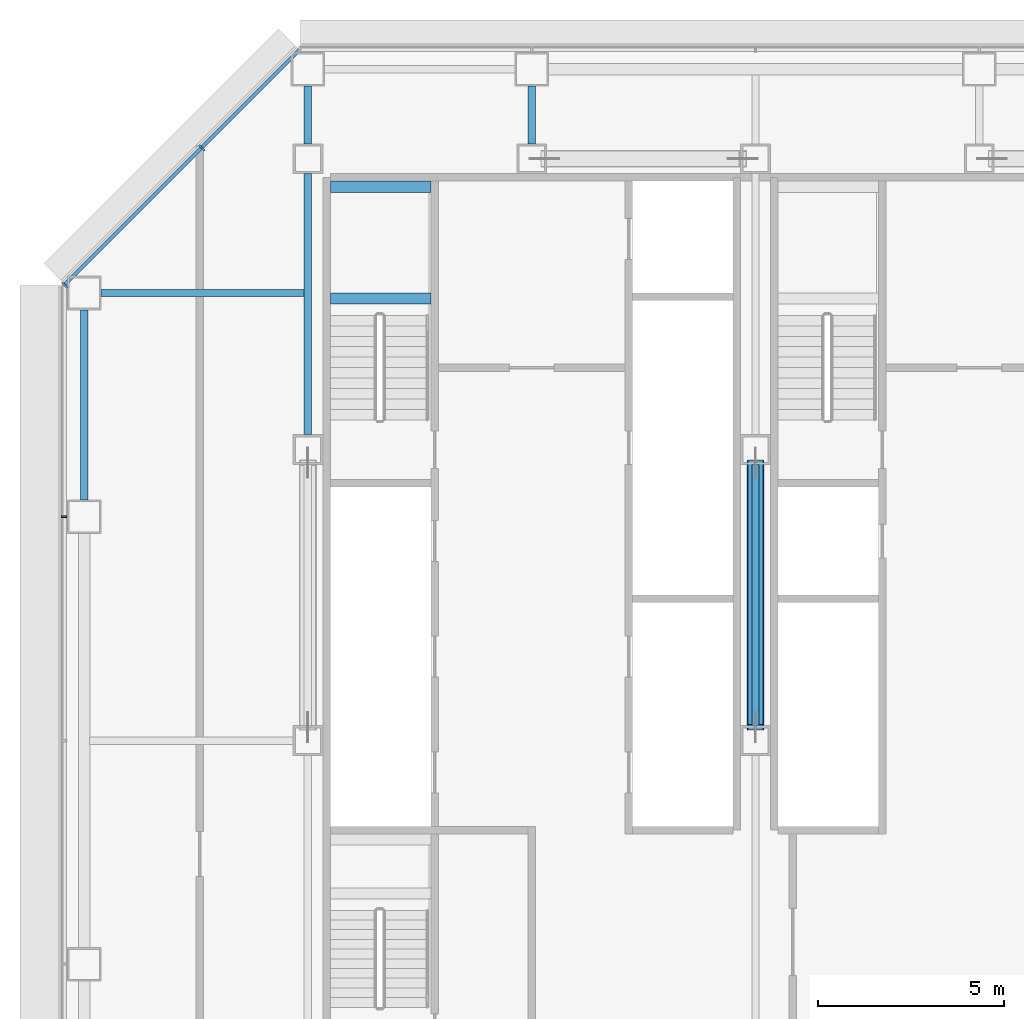
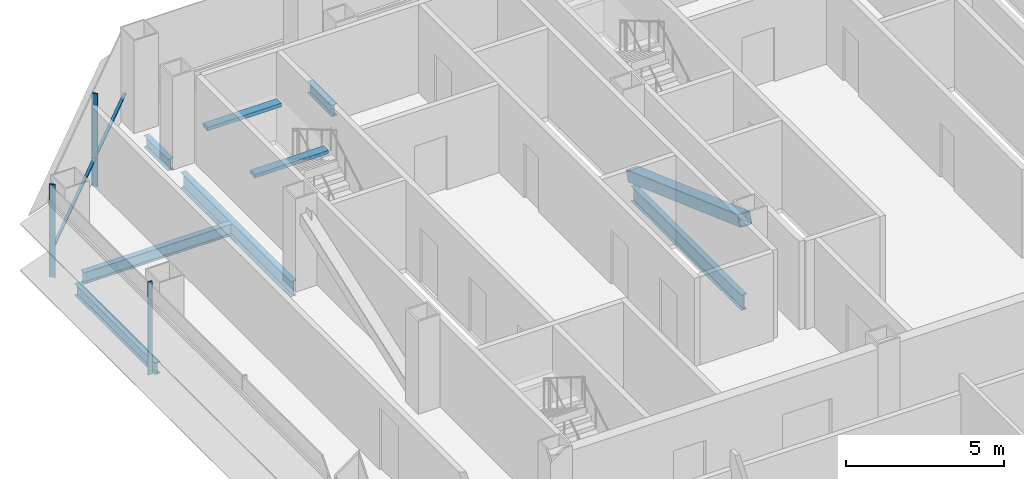
# One storey, part 11 of 26: 8 beams, 5 members, 2 elements without a shape of their own.
"""IFC4 building model written with IfcOpenShell, lengths in metres."""

from ifc_helpers import new_model, si_unit, direction, frame, origin, origin_2d, place, context, subcontext, project, spatial, rectangle, hollow_rectangle, i_section, extrude, material, material_profile, profile_set, type_object, element, aggregate, save


model = new_model("IFC4")

# Units and contexts
model_context = context("Model", 3, precision=1e-05, world=origin(), true_north=direction((0.0, 1.0)))
body_context = subcontext(model_context, "Body", "Model", "MODEL_VIEW")
ifc_project = project(units=[si_unit("LENGTHUNIT", "METRE"), si_unit("AREAUNIT", "SQUARE_METRE"), si_unit("VOLUMEUNIT", "CUBIC_METRE"), si_unit("PLANEANGLEUNIT", "RADIAN"), si_unit("MASSUNIT", "GRAM", prefix="KILO")], contexts=[model_context])

# Site, building, storey
site_placement = place(None, origin())
site = spatial("IfcSite", under=ifc_project, at=site_placement, CompositionType="ELEMENT")
building_placement = place(site_placement, origin())
building = spatial("IfcBuilding", under=site, at=building_placement, Name="Sorahane Residences", CompositionType="ELEMENT")
storey_placement = place(building_placement, frame((0.0, 0.0, 64.199951171875)))
storey = spatial("IfcBuildingStorey", under=building, at=storey_placement, Name="L12", CompositionType="ELEMENT", Elevation=64.199951171875)

# Member
ifc_material_1 = material(Name="Steel Q355B", Category="steel")
ifc_material_profile_1 = material_profile(ifc_material_1, hollow_rectangle(XDim=0.449951171875, YDim=0.449951171875, WallThickness=0.02197265625, InnerFilletRadius=0.010986328125, OuterFilletRadius=0.032958984375, at=origin_2d()), Name="RHS 450x450x22")
ifc_profile_set_1 = profile_set([ifc_material_profile_1], Name="Steel Q355B")
member_type_1 = type_object("IfcMemberType", Name="Core brace RHS 450x450x22 Q355B", PredefinedType="BRACE", material=ifc_profile_set_1)
member_1_placement = place(storey_placement, frame((18.0, 37.44580078125, 0.20849609375), z_axis=(0.0, -0.940886586011, 0.338721762313), x_axis=(1.0, 0.0, 0.0)))
element("IfcMember", 1, at=member_1_placement, inside=storey, type_object=member_type_1, Name="Core brace L12 x18-1", PredefinedType="BRACE", context=body_context, shape_type="SweptSolid", body=[
    extrude(hollow_rectangle(XDim=0.449951171875, YDim=0.449951171875, WallThickness=0.02197265625, InnerFilletRadius=0.010986328125, OuterFilletRadius=0.032958984375, at=origin_2d()), origin(), (0.0, 0.0, 1.0), 7.537109375),
])

# Curtain wall, member
ifc_material_2 = material(Name="Dark low-e glass and black anodised aluminium", Category="aluminium")
curtain_wall_type_1 = type_object("IfcCurtainWallType", Name="Curtain wall CW-1 Typical unitised wall", PredefinedType="NOTDEFINED", material=ifc_material_2)
curtain_wall_1_placement = place(storey_placement, origin())
curtain_wall_1 = element("IfcCurtainWall", 2, at=curtain_wall_1_placement, inside=storey, type_object=curtain_wall_type_1, Name="CW-1 curtain wall L12 W1", PredefinedType="NOTDEFINED")
ifc_material_3 = material(Name="Black anodised aluminium", Category="aluminium")
ifc_material_profile_2 = material_profile(ifc_material_3, rectangle(XDim=0.159912109375, YDim=0.050048828125, at=origin_2d()), Name="Curtain wall mullion CW-1 black anodised aluminium 50x160")
ifc_profile_set_2 = profile_set([ifc_material_profile_2], Name="Black anodised aluminium")
member_type_2 = type_object("IfcMemberType", Name="Curtain wall mullion CW-1 black anodised aluminium 50x160", PredefinedType="MULLION", material=ifc_profile_set_2)
member_2_placement = place(storey_placement, frame((-0.5400390625, 36.0, -0.179931640625), z_axis=(0.0, 0.0, 1.0), x_axis=(-1.0, 0.0, 0.0)))
member_2 = element("IfcMember", 3, at=member_2_placement, type_object=member_type_2, Name="CW-1 mullion L12 W1.2", PredefinedType="MULLION", context=body_context, shape_type="SweptSolid", body=[
    extrude(rectangle(XDim=0.159912109375, YDim=0.050048828125, at=origin_2d()), origin(), (0.0, 0.0, 1.0), 3.60009765625),
])
aggregate(curtain_wall_1, [member_2])

# Curtain wall, members
ifc_material_4 = material(Name="Dark low-e glass and black anodised aluminium", Category="aluminium")
curtain_wall_type_2 = type_object("IfcCurtainWallType", Name="Curtain wall CW-2 Chamfer unitised wall", PredefinedType="NOTDEFINED", material=ifc_material_4)
curtain_wall_2_placement = place(storey_placement, origin())
curtain_wall_2 = element("IfcCurtainWall", 4, at=curtain_wall_2_placement, inside=storey, type_object=curtain_wall_type_2, Name="CW-2 curtain wall L12 NW1", PredefinedType="NOTDEFINED")
ifc_material_5 = material(Name="Black anodised aluminium", Category="aluminium")
ifc_material_profile_3 = material_profile(ifc_material_5, rectangle(XDim=0.199951171875, YDim=0.050048828125, at=origin_2d()), Name="Curtain wall mullion CW-2 black anodised aluminium 50x200")
ifc_profile_set_3 = profile_set([ifc_material_profile_3], Name="Black anodised aluminium")
member_type_3 = type_object("IfcMemberType", Name="Curtain wall mullion CW-2 black anodised aluminium 50x200", PredefinedType="MULLION", material=ifc_profile_set_3)
member_3_placement = place(storey_placement, frame((3.15673828125, 45.89208984375, -0.179931640625), z_axis=(0.0, 0.0, 1.0), x_axis=(-0.707106781187, 0.707106781187, 0.0)))
member_3 = element("IfcMember", 5, at=member_3_placement, type_object=member_type_3, Name="CW-2 mullion L12 NW1.2", PredefinedType="MULLION", context=body_context, shape_type="SweptSolid", body=[
    extrude(rectangle(XDim=0.199951171875, YDim=0.050048828125, at=origin_2d()), origin(), (0.0, 0.0, 1.0), 3.60009765625),
])
member_4_placement = place(storey_placement, frame((-0.525634765625, 42.209716796875, -0.179931640625), z_axis=(0.0, 0.0, 1.0), x_axis=(-0.707106781187, 0.707106781187, 0.0)))
member_4 = element("IfcMember", 6, at=member_4_placement, type_object=member_type_3, Name="CW-2 mullion L12 NW1.3", PredefinedType="MULLION", context=body_context, shape_type="SweptSolid", body=[
    extrude(rectangle(XDim=0.199951171875, YDim=0.050048828125, at=origin_2d()), origin(), (0.0, 0.0, 1.0), 3.60009765625),
])
ifc_material_6 = material(Name="Black anodised aluminium", Category="aluminium")
ifc_material_profile_4 = material_profile(ifc_material_6, rectangle(XDim=0.10009765625, YDim=0.06005859375, at=origin_2d()), Name="Curtain wall transom CW-2 black anodised aluminium 60x100")
ifc_profile_set_4 = profile_set([ifc_material_profile_4], Name="Black anodised aluminium")
member_type_4 = type_object("IfcMemberType", Name="Curtain wall transom CW-2 black anodised aluminium 60x100", PredefinedType="USERDEFINED", material=ifc_profile_set_4)
member_5_placement = place(storey_placement, frame((5.765625, 48.51513671875, 0.900146484375), z_axis=(-0.707106781187, -0.707106781187, 0.0), x_axis=(0.707106781187, -0.707106781187, 0.0)))
member_5 = element("IfcMember", 7, at=member_5_placement, type_object=member_type_4, Name="CW-2 transom L12 NW1", ObjectType="TRANSOM", PredefinedType="USERDEFINED", context=body_context, shape_type="SweptSolid", body=[
    extrude(rectangle(XDim=0.10009765625, YDim=0.06005859375, at=origin_2d()), origin(), (0.0, 0.0, 1.0), 8.88232421875),
])
aggregate(curtain_wall_2, [member_3, member_4, member_5])

# Beams
ifc_material_7 = material(Name="Concrete C40", Category="concrete")
ifc_material_profile_5 = material_profile(ifc_material_7, rectangle(XDim=0.300048828125, YDim=0.139892578125, at=origin_2d()), Name="300x140")
ifc_profile_set_5 = profile_set([ifc_material_profile_5], Name="Concrete C40")
beam_type_1 = type_object("IfcBeamType", Name="RC landing beam 300 x 140 Concrete C40", PredefinedType="BEAM", material=ifc_profile_set_5)
for number, where, z_axis, x_axis, name in (
    (8, (6.60009765625, 41.85009765625, 1.530029296875), (1.0, 0.0, 0.0), (0.0, 1.0, 0.0), "Landing beam"),
    (9, (6.60009765625, 44.85009765625, 1.530029296875), (1.0, 0.0, 0.0), (0.0, 1.0, 0.0), "Landing beam"),
):
    element("IfcBeam", number, at=place(storey_placement, frame(where, z_axis=z_axis, x_axis=x_axis)), inside=storey, type_object=beam_type_1, Name=name, PredefinedType="BEAM", context=body_context, shape_type="SweptSolid", body=[
        extrude(rectangle(XDim=0.300048828125, YDim=0.139892578125, at=origin_2d()), origin(), (0.0, 0.0, 1.0), 2.699951171875),
    ])
ifc_material_8 = material(Name="Steel Q355B", Category="steel")
ifc_material_profile_6 = material_profile(ifc_material_8, i_section(OverallWidth=0.199951171875, OverallDepth=0.449951171875, WebThickness=0.009033203125, FlangeThickness=0.013916015625, FilletRadius=0.02001953125, at=origin_2d()), Name="HN 450x200x9x14")
ifc_profile_set_6 = profile_set([ifc_material_profile_6], Name="Steel Q355B")
beam_type_2 = type_object("IfcBeamType", Name="Steel floor beam HN 450x200x9x14 Q355B", PredefinedType="BEAM", material=ifc_profile_set_6)
beam_1_placement = place(storey_placement, frame((0.0, 36.449951171875, -0.405029296875), z_axis=(0.0, 1.0, 0.0), x_axis=(-1.0, 0.0, 0.0)))
element("IfcBeam", 10, at=beam_1_placement, inside=storey, type_object=beam_type_2, Name="Beam L12 020", PredefinedType="BEAM", context=body_context, shape_type="SweptSolid", body=[
    extrude(i_section(OverallWidth=0.199951171875, OverallDepth=0.449951171875, WebThickness=0.009033203125, FlangeThickness=0.013916015625, FilletRadius=0.02001953125, at=origin_2d()), origin(), (0.0, 0.0, 1.0), 5.10009765625),
])
for number, where, z_axis, x_axis, name in (
    (11, (6.0, 46.0, -0.405029296875), (0.0, 1.0, 0.0), (-1.0, 0.0, 0.0), "Beam L12 026"),
    (12, (12.0, 46.0, -0.405029296875), (0.0, 1.0, 0.0), (-1.0, 0.0, 0.0), "Beam L12 028"),
):
    element("IfcBeam", number, at=place(storey_placement, frame(where, z_axis=z_axis, x_axis=x_axis)), inside=storey, type_object=beam_type_2, Name=name, PredefinedType="BEAM", context=body_context, shape_type="SweptSolid", body=[
        extrude(i_section(OverallWidth=0.199951171875, OverallDepth=0.449951171875, WebThickness=0.009033203125, FlangeThickness=0.013916015625, FilletRadius=0.02001953125, at=origin_2d()), origin(), (0.0, 0.0, 1.0), 1.550048828125),
    ])
beam_2_placement = place(storey_placement, frame((0.449951171875, 42.0, -0.405029296875), z_axis=(1.0, 0.0, 0.0), x_axis=(0.0, 1.0, 0.0)))
element("IfcBeam", 13, at=beam_2_placement, inside=storey, type_object=beam_type_2, Name="Beam L12 079", PredefinedType="BEAM", context=body_context, shape_type="SweptSolid", body=[
    extrude(i_section(OverallWidth=0.199951171875, OverallDepth=0.449951171875, WebThickness=0.009033203125, FlangeThickness=0.013916015625, FilletRadius=0.02001953125, at=origin_2d()), origin(), (0.0, 0.0, 1.0), 5.449951171875),
])
ifc_material_9 = material(Name="Steel Q355B", Category="steel")
ifc_material_profile_7 = material_profile(ifc_material_9, i_section(OverallWidth=0.199951171875, OverallDepth=0.60009765625, WebThickness=0.010986328125, FlangeThickness=0.01708984375, FilletRadius=0.02392578125, at=origin_2d()), Name="HN 600x200x11x17")
ifc_profile_set_7 = profile_set([ifc_material_profile_7], Name="Steel Q355B")
beam_type_3 = type_object("IfcBeamType", Name="Steel floor beam HN 600x200x11x17 Q355B", PredefinedType="BEAM", material=ifc_profile_set_7)
for number, where, z_axis, x_axis, name in (
    (14, (6.0, 38.199951171875, -0.47998046875), (0.0, 1.0, 0.0), (-1.0, 0.0, 0.0), "Beam L12 025"),
    (15, (18.0, 30.39990234375, -0.47998046875), (0.0, 1.0, 0.0), (-1.0, 0.0, 0.0), "Beam L12 032"),
):
    element("IfcBeam", number, at=place(storey_placement, frame(where, z_axis=z_axis, x_axis=x_axis)), inside=storey, type_object=beam_type_3, Name=name, PredefinedType="BEAM", context=body_context, shape_type="SweptSolid", body=[
        extrude(i_section(OverallWidth=0.199951171875, OverallDepth=0.60009765625, WebThickness=0.010986328125, FlangeThickness=0.01708984375, FilletRadius=0.02392578125, at=origin_2d()), origin(), (0.0, 0.0, 1.0), 7.0),
    ])

save(model, "model.ifc")
